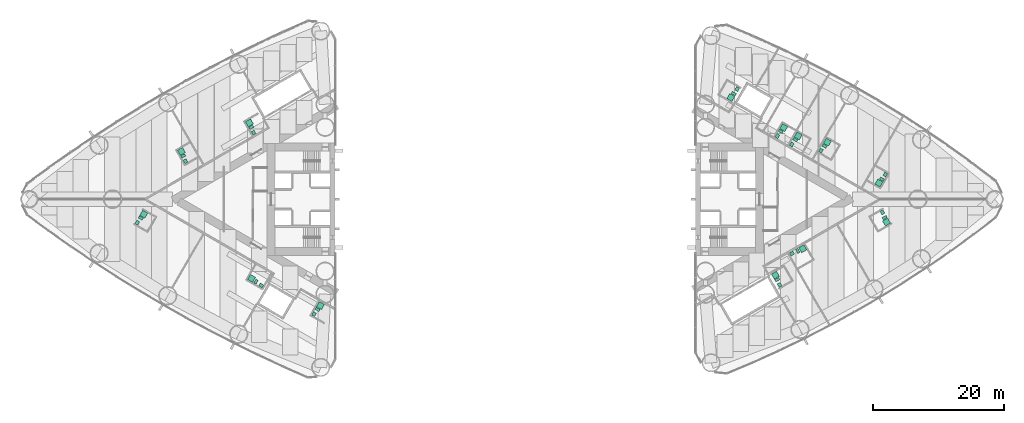
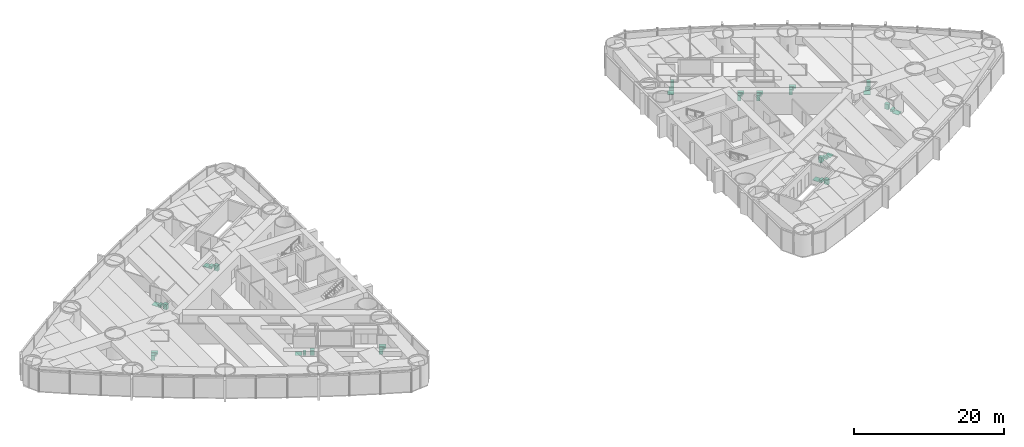
# One storey, part 18 of 18: 17 sanitary terminals.
"""IFC4 building model written with IfcOpenShell, lengths in metres."""

from ifc_helpers import new_model, si_unit, direction, frame, origin, origin_2d, place, context, subcontext, project, spatial, rectangle, extrude, material, type_object, element, save


model = new_model("IFC4")

# Units and contexts
model_context = context("Model", 3, precision=1e-05, world=origin(), true_north=direction((0.0, 1.0)))
body_context = subcontext(model_context, "Body", "Model", "MODEL_VIEW")
ifc_project = project(units=[si_unit("LENGTHUNIT", "METRE"), si_unit("AREAUNIT", "SQUARE_METRE"), si_unit("VOLUMEUNIT", "CUBIC_METRE"), si_unit("PLANEANGLEUNIT", "RADIAN"), si_unit("MASSUNIT", "GRAM", prefix="KILO")], contexts=[model_context])

# Site, building, storey
site_placement = place(None, origin())
site = spatial("IfcSite", under=ifc_project, at=site_placement, CompositionType="ELEMENT")
building_placement = place(site_placement, origin())
building = spatial("IfcBuilding", under=site, at=building_placement, Name="Lancet Gate Hotel", CompositionType="ELEMENT")
storey_placement = place(building_placement, frame((0.0, 0.0, 46.0)))
storey = spatial("IfcBuildingStorey", under=building, at=storey_placement, Name="L11", CompositionType="ELEMENT", Elevation=46.0)

# Sanitary terminals
ifc_material_1 = material(Name="Vitreous china sanitary ware")
sanitary_terminal_type_1 = type_object("IfcSanitaryTerminalType", Name="En-suite sanitary set (shower, WC, basin)", PredefinedType="USERDEFINED", material=ifc_material_1)
sanitary_terminal_1_placement = place(storey_placement, frame((-50.99169921875, 7.2958984375, 0.0), z_axis=(0.0, 0.0, 1.0), x_axis=(1.0, 0.0, 0.0)))
element("IfcSanitaryTerminal", 1, at=sanitary_terminal_1_placement, inside=storey, type_object=sanitary_terminal_type_1, Name="En-suite sanitary set (shower, WC, basin) 1103", ObjectType="EN-SUITE SANITARY SET", PredefinedType="USERDEFINED", context=body_context, shape_type="SweptSolid", body=[
    extrude(rectangle(XDim=0.89990234375, YDim=0.89990234375, at=origin_2d()), frame((0.0, 0.0, 0.0), z_axis=(0.0, 0.0, 1.0), x_axis=(-0.5, 0.866025403784, 0.0)), (0.0, 0.0, 1.0), 0.050048828125),
    extrude(rectangle(XDim=0.39990234375, YDim=0.699951171875, at=origin_2d()), frame((0.278564453125, -0.682373046875, 0.0), z_axis=(0.0, 0.0, 1.0), x_axis=(-0.5, 0.866025403784, 0.0)), (0.0, 0.0, 1.0), 0.39990234375),
    extrude(rectangle(XDim=0.60009765625, YDim=0.5, at=origin_2d()), frame((0.6318359375, -1.494384765625, 0.0), z_axis=(0.0, 0.0, 1.0), x_axis=(-0.5, 0.866025403784, 0.0)), (0.0, 0.0, 1.0), 0.85009765625),
])
sanitary_terminal_2_placement = place(storey_placement, frame((-56.745849609375, -2.28759765625, 0.0), z_axis=(0.0, 0.0, 1.0), x_axis=(1.0, 0.0, 0.0)))
element("IfcSanitaryTerminal", 2, at=sanitary_terminal_2_placement, inside=storey, type_object=sanitary_terminal_type_1, Name="En-suite sanitary set (shower, WC, basin) 1105", ObjectType="EN-SUITE SANITARY SET", PredefinedType="USERDEFINED", context=body_context, shape_type="SweptSolid", body=[
    extrude(rectangle(XDim=0.89990234375, YDim=0.89990234375, at=origin_2d()), frame((0.0, 0.0, 0.0), z_axis=(0.0, 0.0, 1.0), x_axis=(0.5, 0.866025403784, 0.0)), (0.0, 0.0, 1.0), 0.050048828125),
    extrude(rectangle(XDim=0.39990234375, YDim=0.699951171875, at=origin_2d()), frame((-0.45166015625, -0.582275390625, 0.0), z_axis=(0.0, 0.0, 1.0), x_axis=(0.5, 0.866025403784, 0.0)), (0.0, 0.0, 1.0), 0.39990234375),
    extrude(rectangle(XDim=0.60009765625, YDim=0.5, at=origin_2d()), frame((-0.978271484375, -1.29443359375, 0.0), z_axis=(0.0, 0.0, 1.0), x_axis=(0.5, 0.866025403784, 0.0)), (0.0, 0.0, 1.0), 0.85009765625),
])
sanitary_terminal_3_placement = place(storey_placement, frame((-40.609619140625, 11.673095703125, 0.0), z_axis=(0.0, 0.0, 1.0), x_axis=(1.0, 0.0, 0.0)))
element("IfcSanitaryTerminal", 3, at=sanitary_terminal_3_placement, inside=storey, type_object=sanitary_terminal_type_1, Name="En-suite sanitary set (shower, WC, basin) 1102", ObjectType="EN-SUITE SANITARY SET", PredefinedType="USERDEFINED", context=body_context, shape_type="SweptSolid", body=[
    extrude(rectangle(XDim=0.89990234375, YDim=0.89990234375, at=origin_2d()), frame((0.0, 0.0, 0.0), z_axis=(0.0, 0.0, 1.0), x_axis=(-0.5, 0.866025403784, 0.0)), (0.0, 0.0, 1.0), 0.050048828125),
    extrude(rectangle(XDim=0.39990234375, YDim=0.699951171875, at=origin_2d()), frame((0.2783203125, -0.68212890625, 0.0), z_axis=(0.0, 0.0, 1.0), x_axis=(-0.5, 0.866025403784, 0.0)), (0.0, 0.0, 1.0), 0.39990234375),
    extrude(rectangle(XDim=0.60009765625, YDim=0.5, at=origin_2d()), frame((0.6318359375, -1.494140625, 0.0), z_axis=(0.0, 0.0, 1.0), x_axis=(-0.5, 0.866025403784, 0.0)), (0.0, 0.0, 1.0), 0.85009765625),
])
sanitary_terminal_4_placement = place(storey_placement, frame((-29.751708984375, -16.256103515625, 0.0), z_axis=(0.0, 0.0, 1.0), x_axis=(1.0, 0.0, 0.0)))
element("IfcSanitaryTerminal", 4, at=sanitary_terminal_4_placement, inside=storey, type_object=sanitary_terminal_type_1, Name="En-suite sanitary set (shower, WC, basin) 1108", ObjectType="EN-SUITE SANITARY SET", PredefinedType="USERDEFINED", context=body_context, shape_type="SweptSolid", body=[
    extrude(rectangle(XDim=0.89990234375, YDim=0.89990234375, at=origin_2d()), frame((0.0, 0.0, 0.0), z_axis=(0.0, 0.0, 1.0), x_axis=(0.5, 0.866025403784, 0.0)), (0.0, 0.0, 1.0), 0.050048828125),
    extrude(rectangle(XDim=0.39990234375, YDim=0.699951171875, at=origin_2d()), frame((-0.45166015625, -0.582275390625, 0.0), z_axis=(0.0, 0.0, 1.0), x_axis=(0.5, 0.866025403784, 0.0)), (0.0, 0.0, 1.0), 0.39990234375),
    extrude(rectangle(XDim=0.60009765625, YDim=0.5, at=origin_2d()), frame((-0.978271484375, -1.29443359375, 0.0), z_axis=(0.0, 0.0, 1.0), x_axis=(0.5, 0.866025403784, 0.0)), (0.0, 0.0, 1.0), 0.85009765625),
])
sanitary_terminal_5_placement = place(storey_placement, frame((56.7138671875, -3.4921875, 0.0), z_axis=(0.0, 0.0, 1.0), x_axis=(1.0, 0.0, 0.0)))
element("IfcSanitaryTerminal", 5, at=sanitary_terminal_5_placement, inside=storey, type_object=sanitary_terminal_type_1, Name="En-suite sanitary set (shower, WC, basin) 1156", ObjectType="EN-SUITE SANITARY SET", PredefinedType="USERDEFINED", context=body_context, shape_type="SweptSolid", body=[
    extrude(rectangle(XDim=0.89990234375, YDim=0.89990234375, at=origin_2d()), frame((0.0, 0.0, 0.0), z_axis=(0.0, 0.0, 1.0), x_axis=(0.5, -0.866025403784, 0.0)), (0.0, 0.0, 1.0), 0.050048828125),
    extrude(rectangle(XDim=0.39990234375, YDim=0.699951171875, at=origin_2d()), frame((-0.278564453125, 0.682373046875, 0.0), z_axis=(0.0, 0.0, 1.0), x_axis=(0.5, -0.866025403784, 0.0)), (0.0, 0.0, 1.0), 0.39990234375),
    extrude(rectangle(XDim=0.60009765625, YDim=0.5, at=origin_2d()), frame((-0.6318359375, 1.494384765625, 0.0), z_axis=(0.0, 0.0, 1.0), x_axis=(0.5, -0.866025403784, 0.0)), (0.0, 0.0, 1.0), 0.85009765625),
])
sanitary_terminal_6_placement = place(storey_placement, frame((55.549560546875, 2.478515625, 0.0), z_axis=(0.0, 0.0, 1.0), x_axis=(1.0, 0.0, 0.0)))
element("IfcSanitaryTerminal", 6, at=sanitary_terminal_6_placement, inside=storey, type_object=sanitary_terminal_type_1, Name="En-suite sanitary set (shower, WC, basin) 1158", ObjectType="EN-SUITE SANITARY SET", PredefinedType="USERDEFINED", context=body_context, shape_type="SweptSolid", body=[
    extrude(rectangle(XDim=0.89990234375, YDim=0.89990234375, at=origin_2d()), frame((0.0, 0.0, 0.0), z_axis=(0.0, 0.0, 1.0), x_axis=(-0.5, -0.866025403784, 0.0)), (0.0, 0.0, 1.0), 0.050048828125),
    extrude(rectangle(XDim=0.39990234375, YDim=0.699951171875, at=origin_2d()), frame((0.45166015625, 0.58203125, 0.0), z_axis=(0.0, 0.0, 1.0), x_axis=(-0.5, -0.866025403784, 0.0)), (0.0, 0.0, 1.0), 0.39990234375),
    extrude(rectangle(XDim=0.60009765625, YDim=0.5, at=origin_2d()), frame((0.97802734375, 1.294189453125, 0.0), z_axis=(0.0, 0.0, 1.0), x_axis=(-0.5, -0.866025403784, 0.0)), (0.0, 0.0, 1.0), 0.85009765625),
])
sanitary_terminal_7_placement = place(storey_placement, frame((47.676513671875, 8.709716796875, 0.0), z_axis=(0.0, 0.0, 1.0), x_axis=(1.0, 0.0, 0.0)))
element("IfcSanitaryTerminal", 7, at=sanitary_terminal_7_placement, inside=storey, type_object=sanitary_terminal_type_1, Name="En-suite sanitary set (shower, WC, basin) 1159", ObjectType="EN-SUITE SANITARY SET", PredefinedType="USERDEFINED", context=body_context, shape_type="SweptSolid", body=[
    extrude(rectangle(XDim=0.89990234375, YDim=0.89990234375, at=origin_2d()), frame((0.0, 0.0, 0.0), z_axis=(0.0, 0.0, 1.0), x_axis=(0.5, 0.866025403784, 0.0)), (0.0, 0.0, 1.0), 0.050048828125),
    extrude(rectangle(XDim=0.39990234375, YDim=0.699951171875, at=origin_2d()), frame((-0.45166015625, -0.582275390625, 0.0), z_axis=(0.0, 0.0, 1.0), x_axis=(0.5, 0.866025403784, 0.0)), (0.0, 0.0, 1.0), 0.39990234375),
    extrude(rectangle(XDim=0.60009765625, YDim=0.5, at=origin_2d()), frame((-0.978271484375, -1.29443359375, 0.0), z_axis=(0.0, 0.0, 1.0), x_axis=(0.5, 0.866025403784, 0.0)), (0.0, 0.0, 1.0), 0.85009765625),
])
sanitary_terminal_8_placement = place(storey_placement, frame((43.220947265625, 9.66552734375, 0.0), z_axis=(0.0, 0.0, 1.0), x_axis=(1.0, 0.0, 0.0)))
element("IfcSanitaryTerminal", 8, at=sanitary_terminal_8_placement, inside=storey, type_object=sanitary_terminal_type_1, Name="En-suite sanitary set (shower, WC, basin) 1161", ObjectType="EN-SUITE SANITARY SET", PredefinedType="USERDEFINED", context=body_context, shape_type="SweptSolid", body=[
    extrude(rectangle(XDim=0.89990234375, YDim=0.89990234375, at=origin_2d()), frame((0.0, 0.0, 0.0), z_axis=(0.0, 0.0, 1.0), x_axis=(0.5, 0.866025403784, 0.0)), (0.0, 0.0, 1.0), 0.050048828125),
    extrude(rectangle(XDim=0.39990234375, YDim=0.699951171875, at=origin_2d()), frame((-0.45166015625, -0.58203125, 0.0), z_axis=(0.0, 0.0, 1.0), x_axis=(0.5, 0.866025403784, 0.0)), (0.0, 0.0, 1.0), 0.39990234375),
    extrude(rectangle(XDim=0.60009765625, YDim=0.5, at=origin_2d()), frame((-0.978271484375, -1.294189453125, 0.0), z_axis=(0.0, 0.0, 1.0), x_axis=(0.5, 0.866025403784, 0.0)), (0.0, 0.0, 1.0), 0.85009765625),
])
sanitary_terminal_9_placement = place(storey_placement, frame((41.0126953125, 10.940673828125, 0.0), z_axis=(0.0, 0.0, 1.0), x_axis=(1.0, 0.0, 0.0)))
element("IfcSanitaryTerminal", 9, at=sanitary_terminal_9_placement, inside=storey, type_object=sanitary_terminal_type_1, Name="En-suite sanitary set (shower, WC, basin) 1162", ObjectType="EN-SUITE SANITARY SET", PredefinedType="USERDEFINED", context=body_context, shape_type="SweptSolid", body=[
    extrude(rectangle(XDim=0.89990234375, YDim=0.89990234375, at=origin_2d()), frame((0.0, 0.0, 0.0), z_axis=(0.0, 0.0, 1.0), x_axis=(0.5, 0.866025403784, 0.0)), (0.0, 0.0, 1.0), 0.050048828125),
    extrude(rectangle(XDim=0.39990234375, YDim=0.699951171875, at=origin_2d()), frame((-0.45166015625, -0.582275390625, 0.0), z_axis=(0.0, 0.0, 1.0), x_axis=(0.5, 0.866025403784, 0.0)), (0.0, 0.0, 1.0), 0.39990234375),
    extrude(rectangle(XDim=0.60009765625, YDim=0.5, at=origin_2d()), frame((-0.978271484375, -1.29443359375, 0.0), z_axis=(0.0, 0.0, 1.0), x_axis=(0.5, 0.866025403784, 0.0)), (0.0, 0.0, 1.0), 0.85009765625),
])
sanitary_terminal_10_placement = place(storey_placement, frame((39.74853515625, -11.60107421875, 0.0), z_axis=(0.0, 0.0, 1.0), x_axis=(1.0, 0.0, 0.0)))
element("IfcSanitaryTerminal", 10, at=sanitary_terminal_10_placement, inside=storey, type_object=sanitary_terminal_type_1, Name="En-suite sanitary set (shower, WC, basin) 1153", ObjectType="EN-SUITE SANITARY SET", PredefinedType="USERDEFINED", context=body_context, shape_type="SweptSolid", body=[
    extrude(rectangle(XDim=0.89990234375, YDim=0.89990234375, at=origin_2d()), frame((0.0, 0.0, 0.0), z_axis=(0.0, 0.0, 1.0), x_axis=(-0.5, 0.866025403784, 0.0)), (0.0, 0.0, 1.0), 0.050048828125),
    extrude(rectangle(XDim=0.39990234375, YDim=0.699951171875, at=origin_2d()), frame((0.2783203125, -0.68212890625, 0.0), z_axis=(0.0, 0.0, 1.0), x_axis=(-0.5, 0.866025403784, 0.0)), (0.0, 0.0, 1.0), 0.39990234375),
    extrude(rectangle(XDim=0.60009765625, YDim=0.5, at=origin_2d()), frame((0.6318359375, -1.494384765625, 0.0), z_axis=(0.0, 0.0, 1.0), x_axis=(-0.5, 0.866025403784, 0.0)), (0.0, 0.0, 1.0), 0.85009765625),
])
sanitary_terminal_11_placement = place(storey_placement, frame((32.923828125, 15.541259765625, 0.0), z_axis=(0.0, 0.0, 1.0), x_axis=(1.0, 0.0, 0.0)))
element("IfcSanitaryTerminal", 11, at=sanitary_terminal_11_placement, inside=storey, type_object=sanitary_terminal_type_1, Name="En-suite sanitary set (shower, WC, basin) 1164", ObjectType="EN-SUITE SANITARY SET", PredefinedType="USERDEFINED", context=body_context, shape_type="SweptSolid", body=[
    extrude(rectangle(XDim=0.89990234375, YDim=0.89990234375, at=origin_2d()), frame((0.0, 0.0, 0.0), z_axis=(0.0, 0.0, 1.0), x_axis=(-0.5, -0.866025403784, 0.0)), (0.0, 0.0, 1.0), 0.050048828125),
    extrude(rectangle(XDim=0.39990234375, YDim=0.699951171875, at=origin_2d()), frame((0.45166015625, 0.582275390625, 0.0), z_axis=(0.0, 0.0, 1.0), x_axis=(-0.5, -0.866025403784, 0.0)), (0.0, 0.0, 1.0), 0.39990234375),
    extrude(rectangle(XDim=0.60009765625, YDim=0.5, at=origin_2d()), frame((0.978271484375, 1.29443359375, 0.0), z_axis=(0.0, 0.0, 1.0), x_axis=(-0.5, -0.866025403784, 0.0)), (0.0, 0.0, 1.0), 0.85009765625),
])
ifc_material_2 = material(Name="Stone resin shower tray", Category="masonry")
sanitary_terminal_type_2 = type_object("IfcSanitaryTerminalType", Name="Shower tray 900", PredefinedType="SHOWER", material=ifc_material_2)
for number, where, z_axis, x_axis, name in (
    (12, (-40.2763671875, -12.0966796875, 0.0), (0.0, 0.0, 1.0), (-0.866025403784, 0.5, 0.0), "Shower tray 900 1107"),
    (13, (43.928466796875, -7.5712890625, 0.0), (0.0, 0.0, 1.0), (0.866025403784, 0.5, 0.0), "Shower tray 900 1154"),
):
    element("IfcSanitaryTerminal", number, at=place(storey_placement, frame(where, z_axis=z_axis, x_axis=x_axis)), inside=storey, type_object=sanitary_terminal_type_2, Name=name, PredefinedType="SHOWER", context=body_context, shape_type="SweptSolid", body=[
        extrude(rectangle(XDim=0.89990234375, YDim=0.89990234375, at=origin_2d()), origin(), (0.0, 0.0, 1.0), 0.050048828125),
    ])
ifc_material_3 = material(Name="Vitreous china sanitary ware")
sanitary_terminal_type_3 = type_object("IfcSanitaryTerminalType", Name="Vanity basin 600", PredefinedType="WASHHANDBASIN", material=ifc_material_3)
for number, where, z_axis, x_axis, name in (
    (14, (-38.808837890625, -13.1748046875, 0.0), (0.0, 0.0, 1.0), (-0.866025403784, 0.5, 0.0), "Vanity basin 600 1107"),
    (15, (42.260986328125, -8.302978515625, 0.0), (0.0, 0.0, 1.0), (0.866025403784, 0.5, 0.0), "Vanity basin 600 1154"),
):
    element("IfcSanitaryTerminal", number, at=place(storey_placement, frame(where, z_axis=z_axis, x_axis=x_axis)), inside=storey, type_object=sanitary_terminal_type_3, Name=name, PredefinedType="WASHHANDBASIN", context=body_context, shape_type="SweptSolid", body=[
        extrude(rectangle(XDim=0.60009765625, YDim=0.5, at=origin_2d()), origin(), (0.0, 0.0, 1.0), 0.85009765625),
    ])
ifc_material_4 = material(Name="Vitreous china sanitary ware")
sanitary_terminal_type_4 = type_object("IfcSanitaryTerminalType", Name="WC pan wall hung", PredefinedType="TOILETPAN", material=ifc_material_4)
for number, where, z_axis, x_axis, name in (
    (16, (-39.607421875, -12.59814453125, 0.0), (0.0, 0.0, 1.0), (-0.866025403784, 0.5, 0.0), "WC pan wall hung 1107"),
    (17, (43.15966796875, -7.899658203125, 0.0), (0.0, 0.0, 1.0), (0.866025403784, 0.5, 0.0), "WC pan wall hung 1154"),
):
    element("IfcSanitaryTerminal", number, at=place(storey_placement, frame(where, z_axis=z_axis, x_axis=x_axis)), inside=storey, type_object=sanitary_terminal_type_4, Name=name, PredefinedType="TOILETPAN", context=body_context, shape_type="SweptSolid", body=[
        extrude(rectangle(XDim=0.39990234375, YDim=0.699951171875, at=origin_2d()), origin(), (0.0, 0.0, 1.0), 0.39990234375),
    ])

save(model, "model.ifc")
